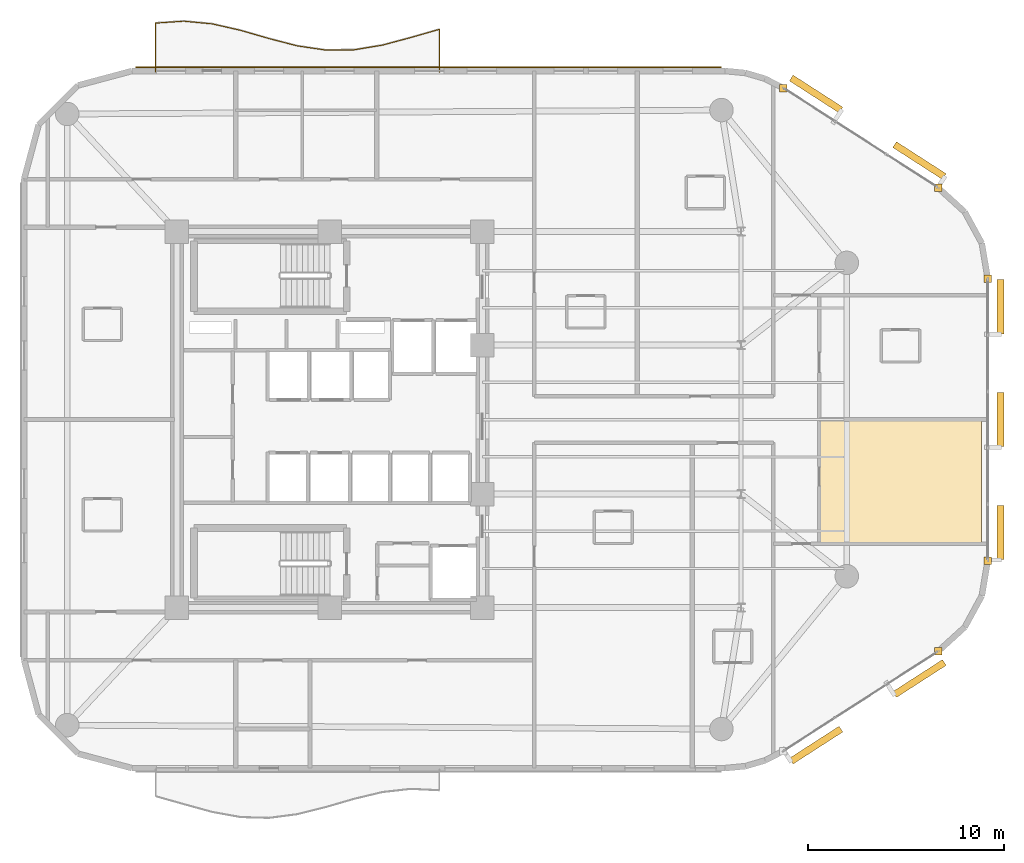
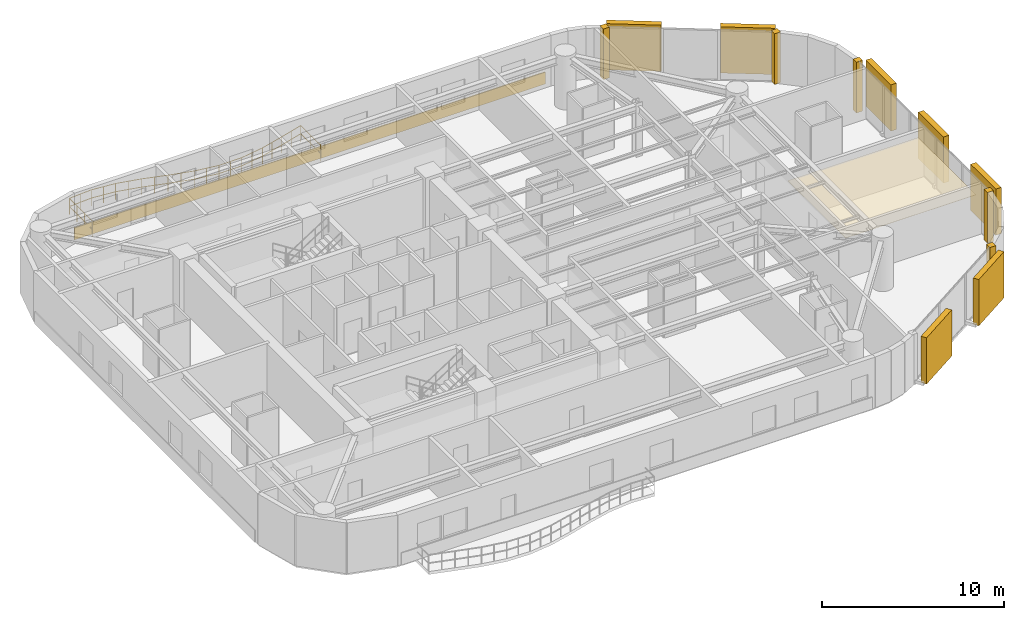
# One storey, part 15 of 15: 7 coverings, 7 shading devices, 1 railing.
"""IFC4 building model written with IfcOpenShell, lengths in metres."""

from ifc_helpers import new_model, si_unit, direction, frame, origin, origin_2d, place, context, subcontext, project, spatial, polyline, rectangle, circle, outline, extrude, material, layer, layer_set, type_object, element, save


model = new_model("IFC4")

# Units and contexts
model_context = context("Model", 3, precision=1e-05, world=origin(), true_north=direction((0.0, 1.0)))
body_context = subcontext(model_context, "Body", "Model", "MODEL_VIEW")
ifc_project = project(units=[si_unit("LENGTHUNIT", "METRE"), si_unit("AREAUNIT", "SQUARE_METRE"), si_unit("VOLUMEUNIT", "CUBIC_METRE"), si_unit("PLANEANGLEUNIT", "RADIAN"), si_unit("MASSUNIT", "GRAM", prefix="KILO")], contexts=[model_context])

# Site, building, storey
site_placement = place(None, origin())
site = spatial("IfcSite", under=ifc_project, at=site_placement, CompositionType="ELEMENT")
building_placement = place(site_placement, origin())
building = spatial("IfcBuilding", under=site, at=building_placement, Name="An Khanh Terracotta Commons", CompositionType="ELEMENT")
storey_placement = place(building_placement, frame((0.0, 0.0, 147.39990234375)))
storey = spatial("IfcBuildingStorey", under=building, at=storey_placement, Name="L38", CompositionType="ELEMENT", Elevation=147.39990234375)

# Coverings
ifc_material_1 = material(Name="Perforated Mineral-Fibre Acoustic Tile")
ifc_layer_1 = layer(ifc_material_1, 0.02001953125, Name="Perforated Mineral-Fibre Acoustic Tile")
ifc_layer_set_1 = layer_set([ifc_layer_1], Name="Perforated Mineral-Fibre Acoustic Tile")
covering_type_1 = type_object("IfcCoveringType", Name="CEIL-ACOUSTIC-18", PredefinedType="CEILING", material=ifc_layer_set_1)
covering_1_placement = place(storey_placement, frame((0.0, 0.0, 2.650146484375)))
element("IfcCovering", 1, at=covering_1_placement, inside=storey, type_object=covering_type_1, Name="L38 Riverfront Study Lounge Ceiling", PredefinedType="CEILING", context=body_context, shape_type="SweptSolid", body=[
    extrude(outline(polyline([(62.679931640625, 17.64990234375), (54.39990234375, 17.64990234375), (54.39990234375, 22.820068359375), (54.39990234375, 24.0), (62.679931640625, 24.0), (62.679931640625, 17.64990234375)])), origin(), (0.0, 0.0, 1.0), 0.02001953125),
])
ifc_material_2 = material(Name="Fired Terracotta Rainscreen Cladding", Category="masonry")
ifc_layer_2 = layer(ifc_material_2, 0.080078125, Name="Fired Terracotta Rainscreen Cladding")
ifc_layer_set_2 = layer_set([ifc_layer_2], Name="Fired Terracotta Rainscreen Cladding")
covering_type_2 = type_object("IfcCoveringType", Name="COV-JAMB-TERRA", PredefinedType="CLADDING", material=ifc_layer_set_2)
for number, where, z_axis, x_axis, name in (
    (2, (60.47802734375, 12.176025390625, 0.000244140625), (0.0, 0.0, 1.0), (1.0, 0.0, 0.0), "L38 CW-03 Curtain-Wall Jamb Closure JB"),
    (3, (63.0, 16.800048828125, 0.000244140625), (0.0, 0.0, 1.0), (1.0, 0.0, 0.0), "L38 CW-03 Curtain-Wall Jamb Closure JA"),
    (4, (63.0, 31.199951171875, 0.000244140625), (0.0, 0.0, 1.0), (1.0, 0.0, 0.0), "L38 CW-03 Curtain-Wall Jamb Closure JB"),
    (5, (60.47802734375, 35.823974609375, 0.000244140625), (0.0, 0.0, 1.0), (1.0, 0.0, 0.0), "L38 CW-03 Curtain-Wall Jamb Closure JA"),
    (6, (52.56005859375, 40.924072265625, 0.000244140625), (0.0, 0.0, 1.0), (1.0, 0.0, 0.0), "L38 CW-03 Curtain-Wall Jamb Closure JB"),
):
    element("IfcCovering", number, at=place(storey_placement, frame(where, z_axis=z_axis, x_axis=x_axis)), inside=storey, type_object=covering_type_2, Name=name, PredefinedType="CLADDING", context=body_context, shape_type="SweptSolid", body=[
        extrude(rectangle(XDim=0.3798828125, YDim=0.3798828125, at=origin_2d()), origin(), (0.0, 0.0, 1.0), 3.39990234375),
    ])
ifc_layer_3 = layer(ifc_material_2, 0.06005859375, Name="Fired Terracotta Rainscreen Cladding")
ifc_layer_set_3 = layer_set([ifc_layer_3], Name="Fired Terracotta Rainscreen Cladding")
covering_type_3 = type_object("IfcCoveringType", Name="COV-SPANDREL-TERRA", PredefinedType="CLADDING", material=ifc_layer_set_3)
covering_2_placement = place(storey_placement, frame((34.44091796875, 41.97998046875, 0.02001953125), z_axis=(0.0, 0.0, 1.0), x_axis=(-1.0, 0.0, 0.0)))
element("IfcCovering", 7, at=covering_2_placement, inside=storey, type_object=covering_type_3, Name="L38 Terracotta Spandrel Cladding 20", PredefinedType="CLADDING", context=body_context, shape_type="SweptSolid", body=[
    extrude(rectangle(XDim=29.882080078125, YDim=0.06005859375, at=origin_2d()), origin(), (0.0, 0.0, 1.0), 0.800048828125),
])

# Railing
ifc_material_3 = material(Name="Brushed Stainless Steel 316", Category="steel")
railing_type = type_object("IfcRailingType", Name="RAIL-BALUSTRADE-1100", PredefinedType="BALUSTRADE", material=ifc_material_3)
railing_placement = place(storey_placement, frame((35.0, 41.739990234375, 0.0)))
element("IfcRailing", 8, at=railing_placement, inside=storey, type_object=railing_type, Name="L38 N Wave Balcony Guard Balustrade", PredefinedType="BALUSTRADE", context=body_context, shape_type="SweptSolid", body=[
    extrude(circle(Radius=0.02392578125, at=origin_2d()), frame((0.0, 0.0, 1.076171875), z_axis=(0.0, 1.0, 0.0), x_axis=(-1.0, 0.0, 0.0)), (0.0, 0.0, 1.0), 2.18212890625),
    extrude(circle(Radius=0.02392578125, at=origin_2d()), frame((0.0, 0.0, 0.52587890625), z_axis=(0.0, 1.0, 0.0), x_axis=(-1.0, 0.0, 0.0)), (0.0, 0.0, 1.0), 2.18212890625),
    extrude(circle(Radius=0.02392578125, at=origin_2d()), frame((0.0, 2.18212890625, 1.076171875), z_axis=(-0.961389443871, -0.275191455562, 0.0), x_axis=(0.275191455562, -0.961389443871, 0.0)), (0.0, 0.0, 1.0), 1.50830078125),
    extrude(circle(Radius=0.02392578125, at=origin_2d()), frame((0.0, 2.18212890625, 0.52587890625), z_axis=(-0.961389443871, -0.275191455562, 0.0), x_axis=(0.275191455562, -0.961389443871, 0.0)), (0.0, 0.0, 1.0), 1.50830078125),
    extrude(circle(Radius=0.02392578125, at=origin_2d()), frame((-1.449951171875, 1.76708984375, 1.076171875), z_axis=(-0.965818015199, -0.259221066885, 0.0), x_axis=(0.259221066885, -0.965818015199, 0.0)), (0.0, 0.0, 1.0), 1.501220703125),
    extrude(circle(Radius=0.02392578125, at=origin_2d()), frame((-1.449951171875, 1.76708984375, 0.52587890625), z_axis=(-0.965818015199, -0.259221066885, 0.0), x_axis=(0.259221066885, -0.965818015199, 0.0)), (0.0, 0.0, 1.0), 1.501220703125),
    extrude(circle(Radius=0.02392578125, at=origin_2d()), frame((-2.89990234375, 1.3779296875, 1.076171875), z_axis=(-0.986581811154, -0.163267663361, 0.0), x_axis=(0.163267663361, -0.986581811154, 0.0)), (0.0, 0.0, 1.0), 1.469970703125),
    extrude(circle(Radius=0.02392578125, at=origin_2d()), frame((-2.89990234375, 1.3779296875, 0.52587890625), z_axis=(-0.986581811154, -0.163267663361, 0.0), x_axis=(0.163267663361, -0.986581811154, 0.0)), (0.0, 0.0, 1.0), 1.469970703125),
    extrude(circle(Radius=0.02392578125, at=origin_2d()), frame((-4.35009765625, 1.137939453125, 1.076171875), z_axis=(-0.999947256534, -0.010270547676, 0.0), x_axis=(0.010270547676, -0.999947256534, 0.0)), (0.0, 0.0, 1.0), 1.449951171875),
    extrude(circle(Radius=0.02392578125, at=origin_2d()), frame((-4.35009765625, 1.137939453125, 0.52587890625), z_axis=(-0.999947256534, -0.010270547676, 0.0), x_axis=(0.010270547676, -0.999947256534, 0.0)), (0.0, 0.0, 1.0), 1.449951171875),
    extrude(circle(Radius=0.02392578125, at=origin_2d()), frame((-5.800048828125, 1.123046875, 1.076171875), z_axis=(-0.989296277489, 0.145920784489, 0.0), x_axis=(-0.145920784489, -0.989296277489, 0.0)), (0.0, 0.0, 1.0), 1.465576171875),
    extrude(circle(Radius=0.02392578125, at=origin_2d()), frame((-5.800048828125, 1.123046875, 0.52587890625), z_axis=(-0.989296277489, 0.145920784489, 0.0), x_axis=(-0.145920784489, -0.989296277489, 0.0)), (0.0, 0.0, 1.0), 1.465576171875),
    extrude(circle(Radius=0.02392578125, at=origin_2d()), frame((-7.25, 1.3369140625, 1.076171875), z_axis=(-0.967986632035, 0.251001753382, 0.0), x_axis=(-0.251001753382, -0.967986632035, 0.0)), (0.0, 0.0, 1.0), 1.497802734375),
    extrude(circle(Radius=0.02392578125, at=origin_2d()), frame((-7.25, 1.3369140625, 0.52587890625), z_axis=(-0.967986632035, 0.251001753382, 0.0), x_axis=(-0.251001753382, -0.967986632035, 0.0)), (0.0, 0.0, 1.0), 1.497802734375),
    extrude(circle(Radius=0.02392578125, at=origin_2d()), frame((-8.699951171875, 1.712890625, 1.076171875), z_axis=(-0.960658574366, 0.277732071424, 0.0), x_axis=(-0.277732071424, -0.960658574366, 0.0)), (0.0, 0.0, 1.0), 1.50927734375),
    extrude(circle(Radius=0.02392578125, at=origin_2d()), frame((-8.699951171875, 1.712890625, 0.52587890625), z_axis=(-0.960658574366, 0.277732071424, 0.0), x_axis=(-0.277732071424, -0.960658574366, 0.0)), (0.0, 0.0, 1.0), 1.50927734375),
    extrude(circle(Radius=0.02392578125, at=origin_2d()), frame((-10.14990234375, 2.132080078125, 1.076171875), z_axis=(-0.975097367151, 0.221777195795, 0.0), x_axis=(-0.221777195795, -0.975097367151, 0.0)), (0.0, 0.0, 1.0), 1.4873046875),
    extrude(circle(Radius=0.02392578125, at=origin_2d()), frame((-10.14990234375, 2.132080078125, 0.52587890625), z_axis=(-0.975097367151, 0.221777195795, 0.0), x_axis=(-0.221777195795, -0.975097367151, 0.0)), (0.0, 0.0, 1.0), 1.4873046875),
    extrude(circle(Radius=0.02392578125, at=origin_2d()), frame((-11.60009765625, 2.4619140625, 1.076171875), z_axis=(-0.995552548823, 0.094207868739, 0.0), x_axis=(-0.094207868739, -0.995552548823, 0.0)), (0.0, 0.0, 1.0), 1.45654296875),
    extrude(circle(Radius=0.02392578125, at=origin_2d()), frame((-11.60009765625, 2.4619140625, 0.52587890625), z_axis=(-0.995552548823, 0.094207868739, 0.0), x_axis=(-0.094207868739, -0.995552548823, 0.0)), (0.0, 0.0, 1.0), 1.45654296875),
    extrude(circle(Radius=0.02392578125, at=origin_2d()), frame((-13.050048828125, 2.59912109375, 1.076171875), z_axis=(-0.997671498756, -0.0682024968, 0.0), x_axis=(0.0682024968, -0.997671498756, 0.0)), (0.0, 0.0, 1.0), 1.453369140625),
    extrude(circle(Radius=0.02392578125, at=origin_2d()), frame((-13.050048828125, 2.59912109375, 0.52587890625), z_axis=(-0.997671498756, -0.0682024968, 0.0), x_axis=(0.0682024968, -0.997671498756, 0.0)), (0.0, 0.0, 1.0), 1.453369140625),
    extrude(circle(Radius=0.02392578125, at=origin_2d()), frame((-14.5, 2.5, 1.076171875), z_axis=(0.0, -1.0, 0.0), x_axis=(1.0, 0.0, 0.0)), (0.0, 0.0, 1.0), 2.5),
    extrude(circle(Radius=0.02392578125, at=origin_2d()), frame((-14.5, 2.5, 0.52587890625), z_axis=(0.0, -1.0, 0.0), x_axis=(1.0, 0.0, 0.0)), (0.0, 0.0, 1.0), 2.5),
    extrude(circle(Radius=0.02099609375, at=origin_2d()), origin(), (0.0, 0.0, 1.0), 1.052001953125),
    extrude(circle(Radius=0.02099609375, at=origin_2d()), frame((0.0, 1.091064453125, 0.0)), (0.0, 0.0, 1.0), 1.052001953125),
    extrude(circle(Radius=0.02099609375, at=origin_2d()), frame((0.0, 2.18212890625, 0.0)), (0.0, 0.0, 1.0), 1.052001953125),
    extrude(circle(Radius=0.02099609375, at=origin_2d()), frame((-0.72509765625, 1.974609375, 0.0)), (0.0, 0.0, 1.0), 1.052001953125),
    extrude(circle(Radius=0.02099609375, at=origin_2d()), frame((-1.449951171875, 1.76708984375, 0.0)), (0.0, 0.0, 1.0), 1.052001953125),
    extrude(circle(Radius=0.02099609375, at=origin_2d()), frame((-2.1748046875, 1.572509765625, 0.0)), (0.0, 0.0, 1.0), 1.052001953125),
    extrude(circle(Radius=0.02099609375, at=origin_2d()), frame((-2.89990234375, 1.3779296875, 0.0)), (0.0, 0.0, 1.0), 1.052001953125),
    extrude(circle(Radius=0.02099609375, at=origin_2d()), frame((-3.625, 1.2578125, 0.0)), (0.0, 0.0, 1.0), 1.052001953125),
    extrude(circle(Radius=0.02099609375, at=origin_2d()), frame((-4.35009765625, 1.137939453125, 0.0)), (0.0, 0.0, 1.0), 1.052001953125),
    extrude(circle(Radius=0.02099609375, at=origin_2d()), frame((-5.0751953125, 1.13037109375, 0.0)), (0.0, 0.0, 1.0), 1.052001953125),
    extrude(circle(Radius=0.02099609375, at=origin_2d()), frame((-5.800048828125, 1.123046875, 0.0)), (0.0, 0.0, 1.0), 1.052001953125),
    extrude(circle(Radius=0.02099609375, at=origin_2d()), frame((-6.52490234375, 1.22998046875, 0.0)), (0.0, 0.0, 1.0), 1.052001953125),
    extrude(circle(Radius=0.02099609375, at=origin_2d()), frame((-7.25, 1.3369140625, 0.0)), (0.0, 0.0, 1.0), 1.052001953125),
    extrude(circle(Radius=0.02099609375, at=origin_2d()), frame((-7.97509765625, 1.52490234375, 0.0)), (0.0, 0.0, 1.0), 1.052001953125),
    extrude(circle(Radius=0.02099609375, at=origin_2d()), frame((-8.699951171875, 1.712890625, 0.0)), (0.0, 0.0, 1.0), 1.052001953125),
    extrude(circle(Radius=0.02099609375, at=origin_2d()), frame((-9.4248046875, 1.92236328125, 0.0)), (0.0, 0.0, 1.0), 1.052001953125),
    extrude(circle(Radius=0.02099609375, at=origin_2d()), frame((-10.14990234375, 2.132080078125, 0.0)), (0.0, 0.0, 1.0), 1.052001953125),
    extrude(circle(Radius=0.02099609375, at=origin_2d()), frame((-10.875, 2.296875, 0.0)), (0.0, 0.0, 1.0), 1.052001953125),
    extrude(circle(Radius=0.02099609375, at=origin_2d()), frame((-11.60009765625, 2.4619140625, 0.0)), (0.0, 0.0, 1.0), 1.052001953125),
    extrude(circle(Radius=0.02099609375, at=origin_2d()), frame((-12.3251953125, 2.530517578125, 0.0)), (0.0, 0.0, 1.0), 1.052001953125),
    extrude(circle(Radius=0.02099609375, at=origin_2d()), frame((-13.050048828125, 2.59912109375, 0.0)), (0.0, 0.0, 1.0), 1.052001953125),
    extrude(circle(Radius=0.02099609375, at=origin_2d()), frame((-13.77490234375, 2.549560546875, 0.0)), (0.0, 0.0, 1.0), 1.052001953125),
    extrude(circle(Radius=0.02099609375, at=origin_2d()), frame((-14.5, 2.5, 0.0)), (0.0, 0.0, 1.0), 1.052001953125),
    extrude(circle(Radius=0.02099609375, at=origin_2d()), frame((-14.5, 1.666748046875, 0.0)), (0.0, 0.0, 1.0), 1.052001953125),
    extrude(circle(Radius=0.02099609375, at=origin_2d()), frame((-14.5, 0.833251953125, 0.0)), (0.0, 0.0, 1.0), 1.052001953125),
    extrude(circle(Radius=0.02099609375, at=origin_2d()), frame((-14.5, 0.0, 0.0)), (0.0, 0.0, 1.0), 1.052001953125),
])

# Shading devices
ifc_material_4 = material(Name="Extruded Fired Terracotta", Category="masonry")
shading_device_type = type_object("IfcShadingDeviceType", Name="Terracotta Baguette Screen Assembly", PredefinedType="USERDEFINED", material=ifc_material_4)
for number, where, z_axis, x_axis, name in (
    (9, (54.23193359375, 7.3798828125, 0.150146484375), (0.0, 0.0, 1.0), (0.840702081986, 0.541497931062, 0.0), "L38 Terracotta Baguette Screen 1"),
    (10, (59.510009765625, 10.780029296875, 0.150146484375), (0.0, 0.0, 1.0), (0.840702081986, 0.541497931062, 0.0), "L38 Terracotta Baguette Screen 3"),
):
    element("IfcShadingDevice", number, at=place(storey_placement, frame(where, z_axis=z_axis, x_axis=x_axis)), inside=storey, type_object=shading_device_type, Name=name, ObjectType="BAGUETTE", PredefinedType="USERDEFINED", context=body_context, shape_type="SweptSolid", body=[
        extrude(rectangle(XDim=3.01904296875, YDim=0.35009765625, at=origin_2d()), origin(), (0.0, 0.0, 1.0), 3.10009765625),
    ])
for number, where, z_axis, x_axis, name in (
    (11, (63.64990234375, 18.239990234375, 0.150146484375), (0.0, 0.0, 1.0), (0.0, 1.0, 0.0), "L38 Terracotta Baguette Screen 1"),
    (12, (63.64990234375, 24.0, 0.150146484375), (0.0, 0.0, 1.0), (0.0, 1.0, 0.0), "L38 Terracotta Baguette Screen 3"),
    (13, (63.64990234375, 29.760009765625, 0.150146484375), (0.0, 0.0, 1.0), (0.0, 1.0, 0.0), "L38 Terracotta Baguette Screen 5"),
):
    element("IfcShadingDevice", number, at=place(storey_placement, frame(where, z_axis=z_axis, x_axis=x_axis)), inside=storey, type_object=shading_device_type, Name=name, ObjectType="BAGUETTE", PredefinedType="USERDEFINED", context=body_context, shape_type="SweptSolid", body=[
        extrude(rectangle(XDim=2.760009765625, YDim=0.35009765625, at=origin_2d()), origin(), (0.0, 0.0, 1.0), 3.10009765625),
    ])
for number, where, z_axis, x_axis, name in (
    (14, (59.510009765625, 37.219970703125, 0.150146484375), (0.0, 0.0, 1.0), (-0.840702081986, 0.541497931062, 0.0), "L38 Terracotta Baguette Screen 1"),
    (15, (54.23193359375, 40.6201171875, 0.150146484375), (0.0, 0.0, 1.0), (-0.840702081986, 0.541497931062, 0.0), "L38 Terracotta Baguette Screen 3"),
):
    element("IfcShadingDevice", number, at=place(storey_placement, frame(where, z_axis=z_axis, x_axis=x_axis)), inside=storey, type_object=shading_device_type, Name=name, ObjectType="BAGUETTE", PredefinedType="USERDEFINED", context=body_context, shape_type="SweptSolid", body=[
        extrude(rectangle(XDim=3.01904296875, YDim=0.35009765625, at=origin_2d()), origin(), (0.0, 0.0, 1.0), 3.10009765625),
    ])

save(model, "model.ifc")
